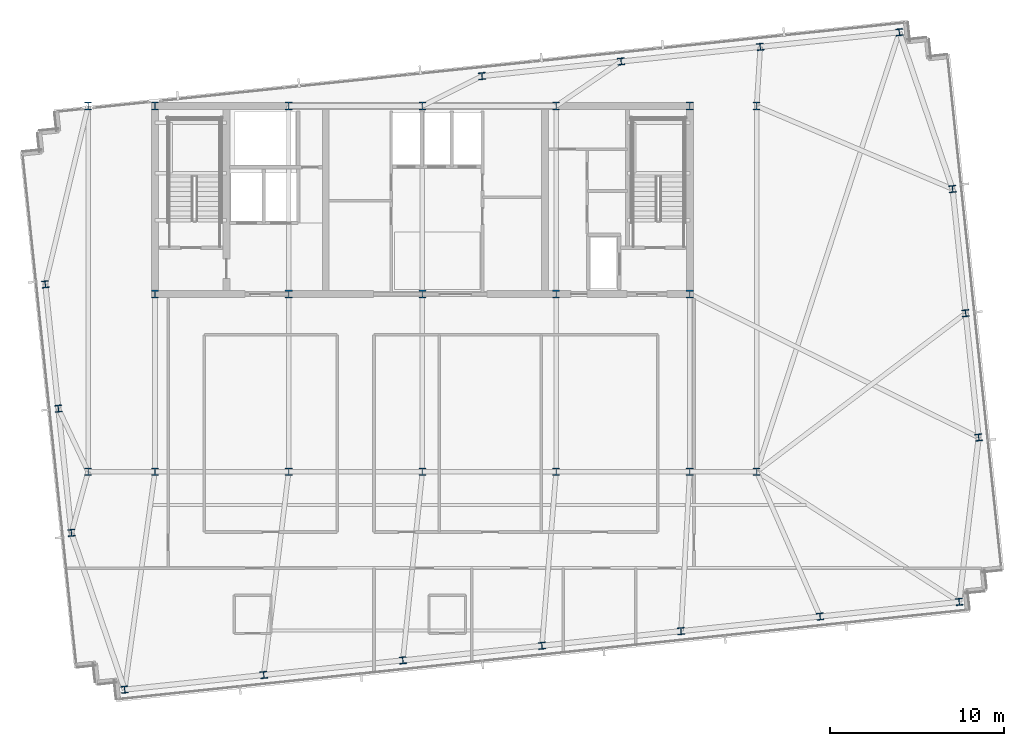
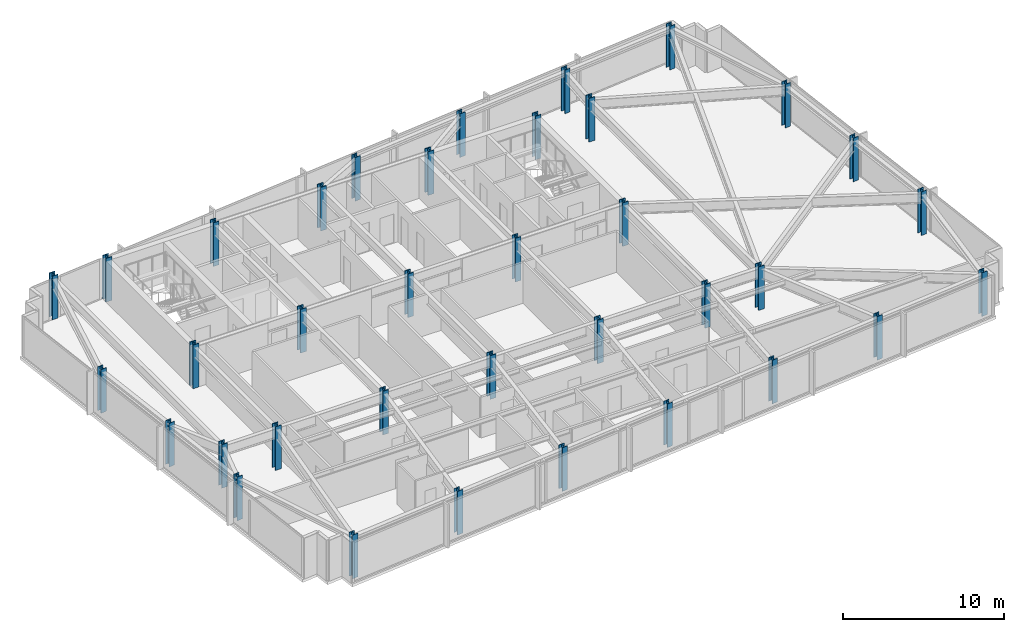
# One storey, part 1 of 32: 36 columns.
"""IFC4 building model written with IfcOpenShell, lengths in metres."""

from ifc_helpers import new_model, si_unit, direction, frame, origin, origin_2d, place, context, subcontext, project, spatial, i_section, extrude, material, material_profile, profile_set, type_object, element, save


model = new_model("IFC4")

# Units and contexts
model_context = context("Model", 3, precision=1e-05, world=origin(), true_north=direction((0.0, 1.0)))
body_context = subcontext(model_context, "Body", "Model", "MODEL_VIEW")
ifc_project = project(units=[si_unit("LENGTHUNIT", "METRE"), si_unit("AREAUNIT", "SQUARE_METRE"), si_unit("VOLUMEUNIT", "CUBIC_METRE"), si_unit("PLANEANGLEUNIT", "RADIAN"), si_unit("MASSUNIT", "GRAM", prefix="KILO")], contexts=[model_context])

# Site, building, storey
site_placement = place(None, origin())
site = spatial("IfcSite", under=ifc_project, at=site_placement, CompositionType="ELEMENT")
building_placement = place(site_placement, origin())
building = spatial("IfcBuilding", under=site, at=building_placement, Name="Yelkora Congress Tower", CompositionType="ELEMENT")
storey_placement = place(building_placement, frame((0.0, 0.0, 211.10009765625)))
storey = spatial("IfcBuildingStorey", under=building, at=storey_placement, Name="L58", CompositionType="ELEMENT", Elevation=211.10009765625)

# Columns
ifc_material_1 = material(Name="Steel S355J2", Category="steel")
ifc_material_profile_1 = material_profile(ifc_material_1, i_section(OverallWidth=0.40087890625, OverallDepth=0.39892578125, WebThickness=0.02490234375, FlangeThickness=0.03955078125, FilletRadius=0.014892578125, at=origin_2d()), Name="HD 400x314")
ifc_profile_set_1 = profile_set([ifc_material_profile_1], Name="Steel S355J2")
column_type_1 = type_object("IfcColumnType", Name="COL-HD-314-EXT", PredefinedType="COLUMN", material=ifc_profile_set_1)
for number, where, z_axis, x_axis, name in (
    (1, (21.299072265625, 12.678466796875, 0.0), (0.0, 0.0, 1.0), (0.994521895368, 0.104528463268, 0.0), "L58 Perimeter Column S01"),
    (2, (29.288330078125, 13.518310546875, 0.0), (0.0, 0.0, 1.0), (0.994521895368, 0.104528463268, 0.0), "L58 Perimeter Column S02"),
    (3, (37.277587890625, 14.35791015625, 0.0), (0.0, 0.0, 1.0), (0.994521895368, 0.104528463268, 0.0), "L58 Perimeter Column S03"),
    (4, (45.26708984375, 15.197509765625, 0.0), (0.0, 0.0, 1.0), (0.994521895368, 0.104528463268, 0.0), "L58 Perimeter Column S04"),
    (5, (53.25634765625, 16.037353515625, 0.0), (0.0, 0.0, 1.0), (0.994521895368, 0.104528463268, 0.0), "L58 Perimeter Column S05"),
    (6, (61.24560546875, 16.877197265625, 0.0), (0.0, 0.0, 1.0), (0.994521895368, 0.104528463268, 0.0), "L58 Perimeter Column S06"),
    (7, (69.235107421875, 17.716796875, 0.0), (0.0, 0.0, 1.0), (0.994521895368, 0.104528463268, 0.0), "L58 Perimeter Column S07"),
    (8, (41.828125, 47.91748046875, 0.0), (0.0, 0.0, 1.0), (0.994521895368, 0.104528463268, 0.0), "L58 Perimeter Column N04"),
    (9, (49.8173828125, 48.757080078125, 0.0), (0.0, 0.0, 1.0), (0.994521895368, 0.104528463268, 0.0), "L58 Perimeter Column N05"),
    (10, (57.806640625, 49.5966796875, 0.0), (0.0, 0.0, 1.0), (0.994521895368, 0.104528463268, 0.0), "L58 Perimeter Column N06"),
    (11, (65.7958984375, 50.4365234375, 0.0), (0.0, 0.0, 1.0), (0.994521895368, 0.104528463268, 0.0), "L58 Perimeter Column N07"),
    (12, (18.2412109375, 21.68310546875, 0.0), (0.0, 0.0, 1.0), (0.994521895368, 0.104528463268, 0.0), "L58 Perimeter Column W01"),
    (13, (70.35400390625, 27.160400390625, 0.0), (0.0, 0.0, 1.0), (0.994521895368, 0.104528463268, 0.0), "L58 Perimeter Column E01"),
    (14, (17.4912109375, 28.81884765625, 0.0), (0.0, 0.0, 1.0), (0.994521895368, 0.104528463268, 0.0), "L58 Perimeter Column W02"),
    (15, (69.60400390625, 34.296142578125, 0.0), (0.0, 0.0, 1.0), (0.994521895368, 0.104528463268, 0.0), "L58 Perimeter Column E02"),
    (16, (16.7412109375, 35.95458984375, 0.0), (0.0, 0.0, 1.0), (0.994521895368, 0.104528463268, 0.0), "L58 Perimeter Column W03"),
    (17, (68.85400390625, 41.431884765625, 0.0), (0.0, 0.0, 1.0), (0.994521895368, 0.104528463268, 0.0), "L58 Perimeter Column E03"),
):
    element("IfcColumn", number, at=place(storey_placement, frame(where, z_axis=z_axis, x_axis=x_axis)), inside=storey, type_object=column_type_1, Name=name, PredefinedType="COLUMN", context=body_context, shape_type="SweptSolid", body=[
        extrude(i_section(OverallWidth=0.40087890625, OverallDepth=0.39892578125, WebThickness=0.02490234375, FlangeThickness=0.03955078125, FilletRadius=0.014892578125, at=origin_2d()), origin(), (0.0, 0.0, 1.0), 3.2998046875),
    ])
ifc_material_2 = material(Name="Steel S460M", Category="steel")
ifc_material_profile_2 = material_profile(ifc_material_2, i_section(OverallWidth=0.412109375, OverallDepth=0.43505859375, WebThickness=0.035888671875, FlangeThickness=0.05810546875, FilletRadius=0.014892578125, at=origin_2d()), Name="HD 400x463")
ifc_profile_set_2 = profile_set([ifc_material_profile_2], Name="Steel S460M")
column_type_2 = type_object("IfcColumnType", Name="COL-HD-463", PredefinedType="COLUMN", material=ifc_profile_set_2)
for number, where, z_axis, x_axis, name in (
    (18, (23.0400390625, 35.39990234375, 0.0), (0.0, 0.0, 1.0), (1.0, 0.0, 0.0), "L58 Mega Column MC-S1"),
    (19, (23.0400390625, 46.199951171875, 0.0), (0.0, 0.0, 1.0), (1.0, 0.0, 0.0), "L58 Mega Column MC-N1"),
    (20, (23.0400390625, 25.199951171875, 0.0), (0.0, 0.0, 1.0), (1.0, 0.0, 0.0), "L58 Mega Column MC-D1"),
    (21, (30.719970703125, 35.39990234375, 0.0), (0.0, 0.0, 1.0), (1.0, 0.0, 0.0), "L58 Mega Column MC-S2"),
    (22, (30.719970703125, 46.199951171875, 0.0), (0.0, 0.0, 1.0), (1.0, 0.0, 0.0), "L58 Mega Column MC-N2"),
    (23, (30.719970703125, 25.199951171875, 0.0), (0.0, 0.0, 1.0), (1.0, 0.0, 0.0), "L58 Mega Column MC-D2"),
    (24, (38.39990234375, 35.39990234375, 0.0), (0.0, 0.0, 1.0), (1.0, 0.0, 0.0), "L58 Mega Column MC-S3"),
    (25, (38.39990234375, 46.199951171875, 0.0), (0.0, 0.0, 1.0), (1.0, 0.0, 0.0), "L58 Mega Column MC-N3"),
    (26, (38.39990234375, 25.199951171875, 0.0), (0.0, 0.0, 1.0), (1.0, 0.0, 0.0), "L58 Mega Column MC-D3"),
    (27, (46.080078125, 35.39990234375, 0.0), (0.0, 0.0, 1.0), (1.0, 0.0, 0.0), "L58 Mega Column MC-S4"),
    (28, (46.080078125, 46.199951171875, 0.0), (0.0, 0.0, 1.0), (1.0, 0.0, 0.0), "L58 Mega Column MC-N4"),
    (29, (46.080078125, 25.199951171875, 0.0), (0.0, 0.0, 1.0), (1.0, 0.0, 0.0), "L58 Mega Column MC-D4"),
    (30, (53.760009765625, 35.39990234375, 0.0), (0.0, 0.0, 1.0), (1.0, 0.0, 0.0), "L58 Mega Column MC-S5"),
    (31, (53.760009765625, 46.199951171875, 0.0), (0.0, 0.0, 1.0), (1.0, 0.0, 0.0), "L58 Mega Column MC-N5"),
    (32, (53.760009765625, 25.199951171875, 0.0), (0.0, 0.0, 1.0), (1.0, 0.0, 0.0), "L58 Mega Column MC-D5"),
    (33, (19.199951171875, 25.199951171875, 0.0), (0.0, 0.0, 1.0), (1.0, 0.0, 0.0), "L58 Mega Column MC-F1"),
    (34, (57.60009765625, 25.199951171875, 0.0), (0.0, 0.0, 1.0), (1.0, 0.0, 0.0), "L58 Mega Column MC-F2"),
    (35, (19.199951171875, 46.199951171875, 0.0), (0.0, 0.0, 1.0), (1.0, 0.0, 0.0), "L58 Mega Column MC-F3"),
    (36, (57.60009765625, 46.199951171875, 0.0), (0.0, 0.0, 1.0), (1.0, 0.0, 0.0), "L58 Mega Column MC-F4"),
):
    element("IfcColumn", number, at=place(storey_placement, frame(where, z_axis=z_axis, x_axis=x_axis)), inside=storey, type_object=column_type_2, Name=name, PredefinedType="COLUMN", context=body_context, shape_type="SweptSolid", body=[
        extrude(i_section(OverallWidth=0.412109375, OverallDepth=0.43505859375, WebThickness=0.035888671875, FlangeThickness=0.05810546875, FilletRadius=0.014892578125, at=origin_2d()), origin(), (0.0, 0.0, 1.0), 3.2998046875),
    ])

save(model, "model.ifc")
